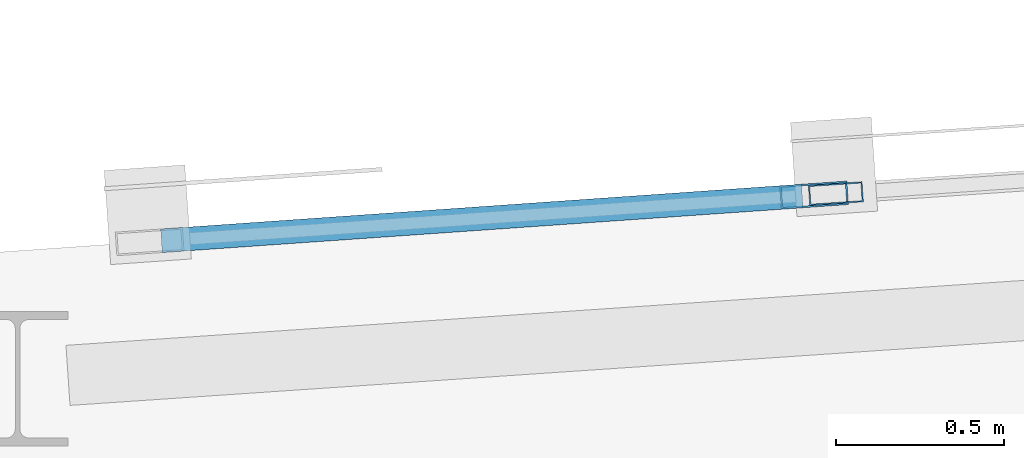
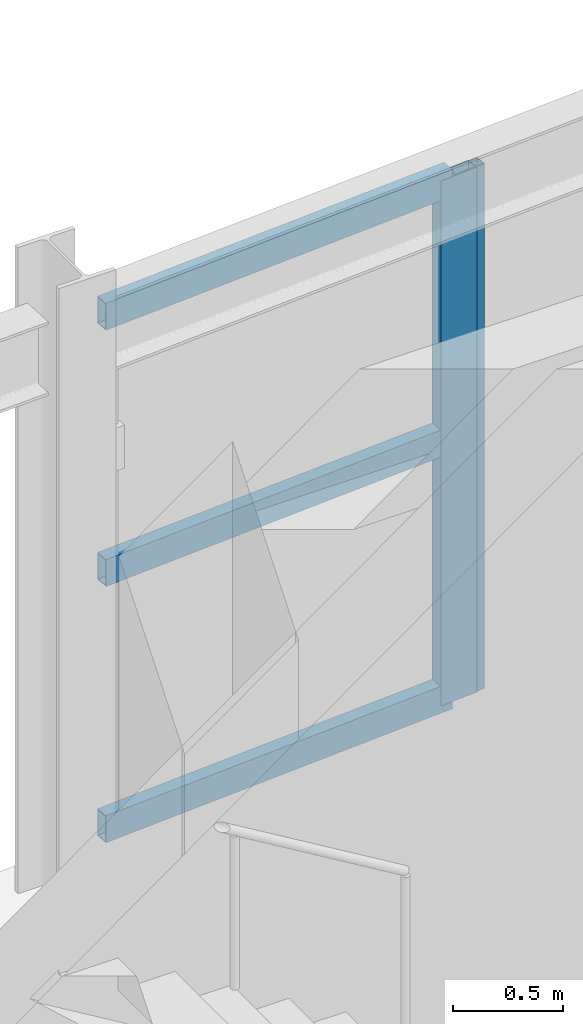
# One storey, part 14 of 73: 5 members, 2 elements without a shape of their own.
"""IFC4 building model written with IfcOpenShell, lengths in metres."""

from ifc_helpers import new_model, si_unit, direction, frame, origin, origin_2d, place, context, subcontext, project, spatial, hollow_rectangle, extrude, material, layer, layer_set, material_profile, profile_set, type_object, element, aggregate, save


model = new_model("IFC4")

# Units and contexts
model_context = context("Model", 3, precision=1e-05, world=origin(), true_north=direction((0.0, 1.0)))
body_context = subcontext(model_context, "Body", "Model", "MODEL_VIEW")
ifc_project = project(units=[si_unit("LENGTHUNIT", "METRE"), si_unit("AREAUNIT", "SQUARE_METRE"), si_unit("VOLUMEUNIT", "CUBIC_METRE"), si_unit("PLANEANGLEUNIT", "RADIAN"), si_unit("MASSUNIT", "GRAM", prefix="KILO")], contexts=[model_context])

# Site, building, storey
site_placement = place(None, origin())
site = spatial("IfcSite", under=ifc_project, at=site_placement, CompositionType="ELEMENT")
building_placement = place(site_placement, origin())
building = spatial("IfcBuilding", under=site, at=building_placement, Name="Carrowvane Square Congress Hotel", CompositionType="ELEMENT")
storey_placement = place(building_placement, frame((0.0, 0.0, 19.199951171875)))
storey = spatial("IfcBuildingStorey", under=building, at=storey_placement, Name="L04", CompositionType="ELEMENT", Elevation=19.199951171875)

# Curtain wall, member
ifc_material_1 = material(Name="Anodised aluminium", Category="aluminium")
ifc_layer_1 = layer(ifc_material_1, 0.18603515625)
ifc_layer_set_1 = layer_set([ifc_layer_1], Name="Anodised aluminium")
curtain_wall_type_1 = type_object("IfcCurtainWallType", Name="CW-SYS-3", PredefinedType="NOTDEFINED", material=ifc_layer_set_1)
curtain_wall_1_placement = place(storey_placement, origin())
curtain_wall_1 = element("IfcCurtainWall", 1, at=curtain_wall_1_placement, inside=storey, type_object=curtain_wall_type_1, Name="L04 unitised curtain wall 258", PredefinedType="NOTDEFINED")
ifc_material_2 = material(Name="Anodised aluminium", Category="aluminium")
ifc_material_profile_1 = material_profile(ifc_material_2, hollow_rectangle(XDim=0.06005859375, YDim=0.159912109375, WallThickness=0.00390625, at=origin_2d()), Name="CW-ML 60x160x4")
ifc_profile_set_1 = profile_set([ifc_material_profile_1], Name="Anodised aluminium")
member_type_1 = type_object("IfcMemberType", Name="CW-MUL-1", PredefinedType="MULLION", material=ifc_profile_set_1)
member_1_placement = place(storey_placement, frame((64.429931640625, 115.255859375, 0.0), z_axis=(0.0, 0.0, 1.0), x_axis=(-0.067865424104, 0.997694484404, 0.0)))
member_1 = element("IfcMember", 2, at=member_1_placement, type_object=member_type_1, Name="CW-3 mullion 1", PredefinedType="MULLION", context=body_context, shape_type="SweptSolid", body=[
    extrude(hollow_rectangle(XDim=0.06005859375, YDim=0.159912109375, WallThickness=0.00390625, at=origin_2d()), origin(), (0.0, 0.0, 1.0), 2.925537109375),
])
aggregate(curtain_wall_1, [member_1])

# Curtain wall, members
ifc_material_3 = material(Name="Anodised aluminium", Category="aluminium")
ifc_layer_2 = layer(ifc_material_3, 0.174072265625)
ifc_layer_set_2 = layer_set([ifc_layer_2], Name="Anodised aluminium")
curtain_wall_type_2 = type_object("IfcCurtainWallType", Name="CW-SYS-2", PredefinedType="NOTDEFINED", material=ifc_layer_set_2)
curtain_wall_2_placement = place(storey_placement, origin())
curtain_wall_2 = element("IfcCurtainWall", 3, at=curtain_wall_2_placement, inside=storey, type_object=curtain_wall_type_2, Name="L04 unitised curtain wall 257", PredefinedType="NOTDEFINED")
ifc_material_4 = material(Name="Anodised aluminium", Category="aluminium")
ifc_material_profile_2 = material_profile(ifc_material_4, hollow_rectangle(XDim=0.070068359375, YDim=0.199951171875, WallThickness=0.0048828125, at=origin_2d()), Name="CW-ML 70x200x5")
ifc_profile_set_2 = profile_set([ifc_material_profile_2], Name="Anodised aluminium")
member_type_2 = type_object("IfcMemberType", Name="CW-MUL-2", PredefinedType="MULLION", material=ifc_profile_set_2)
member_2_placement = place(storey_placement, frame((64.365234375, 115.251220703125, 0.0), z_axis=(0.0, 0.0, 1.0), x_axis=(-0.069723822092, 0.997566332949, 0.0)))
member_2 = element("IfcMember", 4, at=member_2_placement, type_object=member_type_2, Name="CW-2 mullion 2", PredefinedType="MULLION", context=body_context, shape_type="SweptSolid", body=[
    extrude(hollow_rectangle(XDim=0.070068359375, YDim=0.199951171875, WallThickness=0.0048828125, at=origin_2d()), origin(), (0.0, 0.0, 1.0), 2.925537109375),
])
ifc_material_5 = material(Name="Anodised aluminium", Category="aluminium")
ifc_material_profile_3 = material_profile(ifc_material_5, hollow_rectangle(XDim=0.070068359375, YDim=0.14990234375, WallThickness=0.0048828125, at=origin_2d()), Name="CW-TR 70x150x5")
ifc_profile_set_3 = profile_set([ifc_material_profile_3], Name="Anodised aluminium")
member_type_3 = type_object("IfcMemberType", Name="CW-TRN-2", PredefinedType="USERDEFINED", material=ifc_profile_set_3)
member_3_placement = place(storey_placement, frame((62.427001953125, 115.11572265625, 0.03515625), z_axis=(0.997565380596, 0.069737446437, 0.0), x_axis=(-0.069737446437, 0.997565380596, 0.0)))
member_3 = element("IfcMember", 5, at=member_3_placement, type_object=member_type_3, Name="CW-2 transom 1.1", ObjectType="TRANSOM", PredefinedType="USERDEFINED", context=body_context, shape_type="SweptSolid", body=[
    extrude(hollow_rectangle(XDim=0.070068359375, YDim=0.14990234375, WallThickness=0.0048828125, at=origin_2d()), origin(), (0.0, 0.0, 1.0), 1.907958984375),
])
member_4_placement = place(storey_placement, frame((62.427001953125, 115.11572265625, 1.462890625), z_axis=(0.997565380596, 0.069737446437, 0.0), x_axis=(-0.069737446437, 0.997565380596, 0.0)))
member_4 = element("IfcMember", 6, at=member_4_placement, type_object=member_type_3, Name="CW-2 transom 1.2", ObjectType="TRANSOM", PredefinedType="USERDEFINED", context=body_context, shape_type="SweptSolid", body=[
    extrude(hollow_rectangle(XDim=0.070068359375, YDim=0.14990234375, WallThickness=0.0048828125, at=origin_2d()), origin(), (0.0, 0.0, 1.0), 1.907958984375),
])
member_5_placement = place(storey_placement, frame((62.427001953125, 115.11572265625, 2.890625), z_axis=(0.997565380596, 0.069737446437, 0.0), x_axis=(-0.069737446437, 0.997565380596, 0.0)))
member_5 = element("IfcMember", 7, at=member_5_placement, type_object=member_type_3, Name="CW-2 transom 1.3", ObjectType="TRANSOM", PredefinedType="USERDEFINED", context=body_context, shape_type="SweptSolid", body=[
    extrude(hollow_rectangle(XDim=0.070068359375, YDim=0.14990234375, WallThickness=0.0048828125, at=origin_2d()), origin(), (0.0, 0.0, 1.0), 1.907958984375),
])
aggregate(curtain_wall_2, [member_2, member_3, member_4, member_5])

save(model, "model.ifc")
